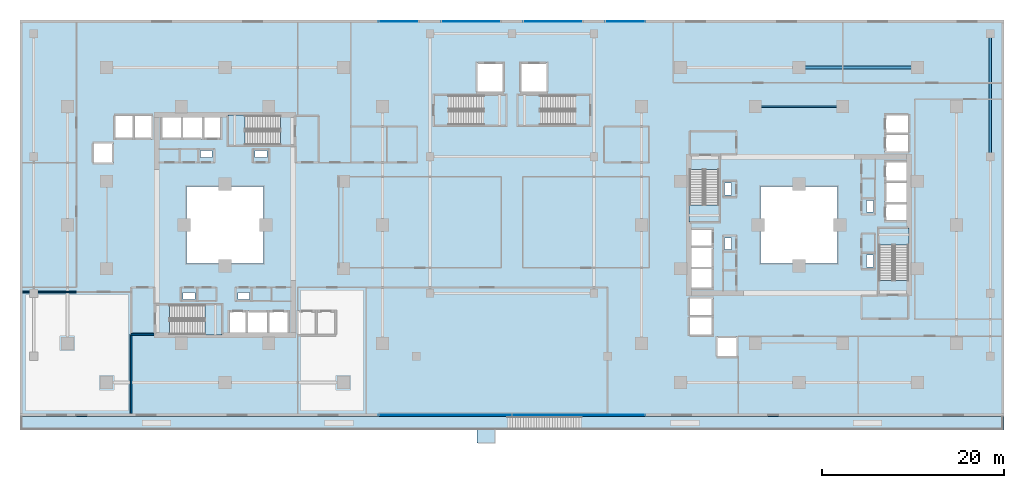
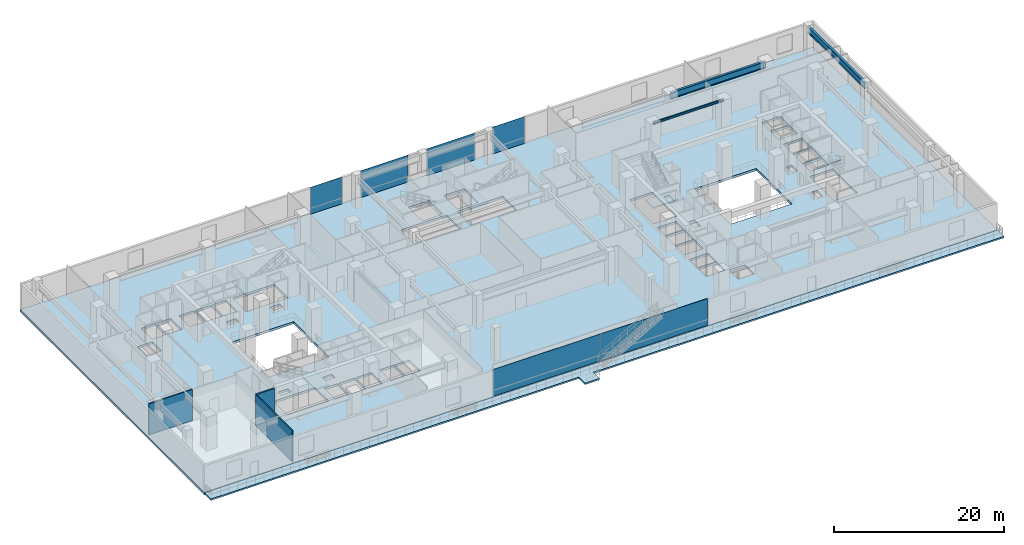
# One storey, part 10 of 22: 8 slabs, 6 plates, 3 beams, 3 walls, 11 elements without a shape of their own.
"""IFC4 building model written with IfcOpenShell, lengths in metres."""

from ifc_helpers import new_model, si_unit, direction, frame, frame_2d, origin, origin_2d, place, context, subcontext, project, spatial, polyline, rectangle, i_section, outline, extrude, material, layer, layer_set, material_profile, profile_set, type_object, element, aggregate, save


model = new_model("IFC4")

# Units and contexts
model_context = context("Model", 3, precision=1e-05, world=origin(), true_north=direction((0.0, 1.0)))
body_context = subcontext(model_context, "Body", "Model", "MODEL_VIEW")
ifc_project = project(units=[si_unit("LENGTHUNIT", "METRE"), si_unit("AREAUNIT", "SQUARE_METRE"), si_unit("VOLUMEUNIT", "CUBIC_METRE"), si_unit("PLANEANGLEUNIT", "RADIAN"), si_unit("MASSUNIT", "GRAM", prefix="KILO")], contexts=[model_context])

# Site, building, storey
site_placement = place(None, origin())
site = spatial("IfcSite", under=ifc_project, at=site_placement, CompositionType="ELEMENT")
building_placement = place(site_placement, origin())
building = spatial("IfcBuilding", under=site, at=building_placement, Name="Thornwick Lancets Civic Towers", CompositionType="ELEMENT")
storey_placement = place(building_placement, frame((0.0, 0.0, 4.800048828125)))
storey = spatial("IfcBuildingStorey", under=building, at=storey_placement, Name="L01", CompositionType="ELEMENT", Elevation=4.800048828125)

# Beams
ifc_material_1 = material(Name="Steel S355JR", Category="steel")
ifc_material_profile_1 = material_profile(ifc_material_1, i_section(OverallWidth=0.1669921875, OverallDepth=0.310302734375, WebThickness=0.0078125, FlangeThickness=0.013671875, FilletRadius=0.0087890625, at=origin_2d()), Name="UKB 305x165x54")
ifc_profile_set_1 = profile_set([ifc_material_profile_1], Name="Steel S355JR")
beam_type_1 = type_object("IfcBeamType", Name="BM_LINTEL_305_54", PredefinedType="LINTEL", material=ifc_profile_set_1)
beam_1_placement = place(storey_placement, frame((93.300048828125, 40.0, 4.32470703125), z_axis=(-1.0, 0.0, 0.0), x_axis=(0.0, -1.0, 0.0)))
element("IfcBeam", 1, at=beam_1_placement, inside=storey, type_object=beam_type_1, Name="BM-INSP-L01-B-1-3", PredefinedType="LINTEL", context=body_context, shape_type="SweptSolid", body=[
    extrude(i_section(OverallWidth=0.1669921875, OverallDepth=0.310302734375, WebThickness=0.0078125, FlangeThickness=0.013671875, FilletRadius=0.0087890625, at=origin_2d()), origin(), (0.0, 0.0, 1.0), 9.60009765625),
])
ifc_material_profile_2 = material_profile(ifc_material_1, i_section(OverallWidth=0.3076171875, OverallDepth=0.926513671875, WebThickness=0.01953125, FlangeThickness=0.031982421875, FilletRadius=0.01904296875, at=origin_2d()), Name="UKB 914x305x289")
ifc_profile_set_2 = profile_set([ifc_material_profile_2], Name="Steel S355JR")
beam_type_2 = type_object("IfcBeamType", Name="BM_POD_914_289", PredefinedType="BEAM", material=ifc_profile_set_2)
beam_2_placement = place(storey_placement, frame((101.5, 44.300048828125, 4.0166015625), z_axis=(-1.0, 0.0, 0.0), x_axis=(0.0, -1.0, 0.0)))
element("IfcBeam", 2, at=beam_2_placement, inside=storey, type_object=beam_type_2, Name="BM-SPINE-L01-B-3-4", PredefinedType="BEAM", context=body_context, shape_type="SweptSolid", body=[
    extrude(i_section(OverallWidth=0.3076171875, OverallDepth=0.926513671875, WebThickness=0.01953125, FlangeThickness=0.031982421875, FilletRadius=0.01904296875, at=origin_2d()), origin(), (0.0, 0.0, 1.0), 13.0),
])
beam_3_placement = place(storey_placement, frame((109.5, 34.580078125, 4.0166015625), z_axis=(0.0, 1.0, 0.0), x_axis=(-1.0, 0.0, 0.0)))
element("IfcBeam", 3, at=beam_3_placement, inside=storey, type_object=beam_type_2, Name="BM-PODG-L01-15-16", PredefinedType="BEAM", context=body_context, shape_type="SweptSolid", body=[
    extrude(i_section(OverallWidth=0.3076171875, OverallDepth=0.926513671875, WebThickness=0.01953125, FlangeThickness=0.031982421875, FilletRadius=0.01904296875, at=origin_2d()), origin(), (0.0, 0.0, 1.0), 13.419921875),
])

# Curtain wall, plates
ifc_material_2 = material(Name="Bronze aluminium Gothic lancet podium curtain wall", Category="aluminium")
curtain_wall_type = type_object("IfcCurtainWallType", Name="CW_SYS_01", PredefinedType="NOTDEFINED", material=ifc_material_2)
curtain_wall_1_placement = place(storey_placement, origin())
curtain_wall_1 = element("IfcCurtainWall", 4, at=curtain_wall_1_placement, inside=storey, type_object=curtain_wall_type, Name="L01 Curtain Wall CW-L01-POD-SC", PredefinedType="NOTDEFINED")
ifc_material_3 = material(Name="Low-e double glazing clear glass", Category="glass")
ifc_layer_1 = layer(ifc_material_3, 0.035888671875, Name="Low-e double glazing clear glass")
ifc_layer_set_1 = layer_set([ifc_layer_1], Name="Low-e double glazing clear glass")
plate_type = type_object("IfcPlateType", Name="CW_PNL_GLASS", PredefinedType="CURTAIN_PANEL", material=ifc_layer_set_1)
plate_1_placement = place(storey_placement, frame((49.699951171875, 6.159912109375, 0.0), z_axis=(0.0, 0.0, 1.0), x_axis=(1.0, 0.0, 0.0)))
plate_1 = element("IfcPlate", 5, at=plate_1_placement, type_object=plate_type, Name="CW-L01-POD-SC Panel 0", PredefinedType="CURTAIN_PANEL", context=body_context, shape_type="SweptSolid", body=[
    extrude(rectangle(XDim=14.595947265625, YDim=0.035888671875, at=origin_2d()), origin(), (0.0, 0.0, 1.0), 3.860107421875),
])
plate_2_placement = place(storey_placement, frame((64.300048828125, 6.159912109375, 0.0), z_axis=(0.0, 0.0, 1.0), x_axis=(1.0, 0.0, 0.0)))
plate_2 = element("IfcPlate", 6, at=plate_2_placement, type_object=plate_type, Name="CW-L01-POD-SC Panel 1", PredefinedType="CURTAIN_PANEL", context=body_context, shape_type="SweptSolid", body=[
    extrude(rectangle(XDim=14.595947265625, YDim=0.035888671875, at=origin_2d()), origin(), (0.0, 0.0, 1.0), 3.860107421875),
])
aggregate(curtain_wall_1, [plate_1, plate_2])

# Curtain wall, plate
curtain_wall_2_placement = place(storey_placement, origin())
curtain_wall_2 = element("IfcCurtainWall", 7, at=curtain_wall_2_placement, inside=storey, type_object=curtain_wall_type, Name="L01 Curtain Wall CW-L01-POD-NC-S1", PredefinedType="NOTDEFINED")
plate_3_placement = place(storey_placement, frame((69.425048828125, 49.340087890625, 0.0), z_axis=(0.0, 0.0, 1.0), x_axis=(-1.0, 0.0, 0.0)))
plate_3 = element("IfcPlate", 8, at=plate_3_placement, type_object=plate_type, Name="CW-L01-POD-NC-S1 Panel 0", PredefinedType="CURTAIN_PANEL", context=body_context, shape_type="SweptSolid", body=[
    extrude(rectangle(XDim=4.345947265625, YDim=0.035888671875, at=origin_2d()), origin(), (0.0, 0.0, 1.0), 3.860107421875),
])
aggregate(curtain_wall_2, [plate_3])

curtain_wall_3_placement = place(storey_placement, origin())
curtain_wall_3 = element("IfcCurtainWall", 9, at=curtain_wall_3_placement, inside=storey, type_object=curtain_wall_type, Name="L01 Curtain Wall CW-L01-POD-NC-S2", PredefinedType="NOTDEFINED")
plate_4_placement = place(storey_placement, frame((61.5, 49.340087890625, 0.0), z_axis=(0.0, 0.0, 1.0), x_axis=(-1.0, 0.0, 0.0)))
plate_4 = element("IfcPlate", 10, at=plate_4_placement, type_object=plate_type, Name="CW-L01-POD-NC-S2 Panel 0", PredefinedType="CURTAIN_PANEL", context=body_context, shape_type="SweptSolid", body=[
    extrude(rectangle(XDim=6.49609375, YDim=0.035888671875, at=origin_2d()), origin(), (0.0, 0.0, 1.0), 3.860107421875),
])
aggregate(curtain_wall_3, [plate_4])

curtain_wall_4_placement = place(storey_placement, origin())
curtain_wall_4 = element("IfcCurtainWall", 11, at=curtain_wall_4_placement, inside=storey, type_object=curtain_wall_type, Name="L01 Curtain Wall CW-L01-POD-NC-S3", PredefinedType="NOTDEFINED")
plate_5_placement = place(storey_placement, frame((52.5, 49.340087890625, 0.0), z_axis=(0.0, 0.0, 1.0), x_axis=(-1.0, 0.0, 0.0)))
plate_5 = element("IfcPlate", 12, at=plate_5_placement, type_object=plate_type, Name="CW-L01-POD-NC-S3 Panel 0", PredefinedType="CURTAIN_PANEL", context=body_context, shape_type="SweptSolid", body=[
    extrude(rectangle(XDim=6.49609375, YDim=0.035888671875, at=origin_2d()), origin(), (0.0, 0.0, 1.0), 3.860107421875),
])
aggregate(curtain_wall_4, [plate_5])

curtain_wall_5_placement = place(storey_placement, origin())
curtain_wall_5 = element("IfcCurtainWall", 13, at=curtain_wall_5_placement, inside=storey, type_object=curtain_wall_type, Name="L01 Curtain Wall CW-L01-POD-NC-S4", PredefinedType="NOTDEFINED")
plate_6_placement = place(storey_placement, frame((44.574951171875, 49.340087890625, 0.0), z_axis=(0.0, 0.0, 1.0), x_axis=(-1.0, 0.0, 0.0)))
plate_6 = element("IfcPlate", 14, at=plate_6_placement, type_object=plate_type, Name="CW-L01-POD-NC-S4 Panel 0", PredefinedType="CURTAIN_PANEL", context=body_context, shape_type="SweptSolid", body=[
    extrude(rectangle(XDim=4.345947265625, YDim=0.035888671875, at=origin_2d()), origin(), (0.0, 0.0, 1.0), 3.860107421875),
])
aggregate(curtain_wall_5, [plate_6])

# Stair, slab
ifc_material_4 = material(Name="Concrete C40/50", Category="concrete")
stair_type = type_object("IfcStairType", Name="STAIR_DL_4800", PredefinedType="HALF_TURN_STAIR", material=ifc_material_4)
stair_1_placement = place(storey_placement, origin())
stair_1 = element("IfcStair", 15, at=stair_1_placement, inside=storey, type_object=stair_type, Name="L01 Tower A South Exit Stair ST-A1", PredefinedType="HALF_TURN_STAIR")
ifc_layer_2 = layer(ifc_material_4, 0.25, Name="Concrete C40/50")
ifc_layer_set_2 = layer_set([ifc_layer_2], Name="Concrete C40/50")
slab_type_1 = type_object("IfcSlabType", Name="SLAB_LANDING_200", PredefinedType="LANDING", material=ifc_layer_set_2)
slab_1_placement = place(storey_placement, frame((0.0, 0.0, 2.202880859375)))
slab_1 = element("IfcSlab", 16, at=slab_1_placement, type_object=slab_type_1, Name="ST-A1 landing 1", PredefinedType="LANDING", context=body_context, shape_type="SweptSolid", body=[
    extrude(outline(polyline([(23.2900390625, 14.93994140625), (25.14990234375, 14.93994140625), (25.14990234375, 18.260009765625), (23.2900390625, 18.260009765625), (23.2900390625, 14.93994140625)])), origin(), (0.0, 0.0, 1.0), 0.199951171875),
])
aggregate(stair_1, [slab_1])

stair_2_placement = place(storey_placement, origin())
stair_2 = element("IfcStair", 17, at=stair_2_placement, inside=storey, type_object=stair_type, Name="L01 Tower A North Exit Stair ST-A2", PredefinedType="HALF_TURN_STAIR")
slab_2_placement = place(storey_placement, frame((0.0, 0.0, 2.202880859375)))
slab_2 = element("IfcSlab", 18, at=slab_2_placement, type_object=slab_type_1, Name="ST-A2 landing 1", PredefinedType="LANDING", context=body_context, shape_type="SweptSolid", body=[
    extrude(outline(polyline([(27.7099609375, 39.06005859375), (25.85009765625, 39.06005859375), (25.85009765625, 35.739990234375), (27.7099609375, 35.739990234375), (27.7099609375, 39.06005859375)])), origin(), (0.0, 0.0, 1.0), 0.199951171875),
])
aggregate(stair_2, [slab_2])

stair_3_placement = place(storey_placement, origin())
stair_3 = element("IfcStair", 19, at=stair_3_placement, inside=storey, type_object=stair_type, Name="L01 Tower B East Exit Stair ST-B1", PredefinedType="HALF_TURN_STAIR")
slab_3_placement = place(storey_placement, frame((0.0, 0.0, 2.202880859375)))
slab_3 = element("IfcSlab", 20, at=slab_3_placement, type_object=slab_type_1, Name="ST-B1 landing 1", PredefinedType="LANDING", context=body_context, shape_type="SweptSolid", body=[
    extrude(outline(polyline([(100.56005859375, 24.7900390625), (100.56005859375, 26.64990234375), (97.239990234375, 26.64990234375), (97.239990234375, 24.7900390625), (100.56005859375, 24.7900390625)])), origin(), (0.0, 0.0, 1.0), 0.199951171875),
])
aggregate(stair_3, [slab_3])

stair_4_placement = place(storey_placement, origin())
stair_4 = element("IfcStair", 21, at=stair_4_placement, inside=storey, type_object=stair_type, Name="L01 Tower B West Exit Stair ST-B2", PredefinedType="HALF_TURN_STAIR")
slab_4_placement = place(storey_placement, frame((0.0, 0.0, 2.202880859375)))
slab_4 = element("IfcSlab", 22, at=slab_4_placement, type_object=slab_type_1, Name="ST-B2 landing 1", PredefinedType="LANDING", context=body_context, shape_type="SweptSolid", body=[
    extrude(outline(polyline([(76.43994140625, 29.2099609375), (76.43994140625, 27.35009765625), (79.760009765625, 27.35009765625), (79.760009765625, 29.2099609375), (76.43994140625, 29.2099609375)])), origin(), (0.0, 0.0, 1.0), 0.199951171875),
])
aggregate(stair_4, [slab_4])

stair_5_placement = place(storey_placement, origin())
stair_5 = element("IfcStair", 23, at=stair_5_placement, inside=storey, type_object=stair_type, Name="L01 Podium Central West Exit Stair ST-P5", PredefinedType="HALF_TURN_STAIR")
slab_5_placement = place(storey_placement, frame((0.0, 0.0, 2.202880859375)))
slab_5 = element("IfcSlab", 24, at=slab_5_placement, type_object=slab_type_1, Name="ST-P5 landing 1", PredefinedType="LANDING", context=body_context, shape_type="SweptSolid", body=[
    extrude(outline(polyline([(53.889892578125, 37.93994140625), (56.35009765625, 37.93994140625), (56.35009765625, 41.260009765625), (53.889892578125, 41.260009765625), (53.889892578125, 37.93994140625)])), origin(), (0.0, 0.0, 1.0), 0.199951171875),
])
aggregate(stair_5, [slab_5])

stair_6_placement = place(storey_placement, origin())
stair_6 = element("IfcStair", 25, at=stair_6_placement, inside=storey, type_object=stair_type, Name="L01 Podium Central East Exit Stair ST-P6", PredefinedType="HALF_TURN_STAIR")
slab_6_placement = place(storey_placement, frame((0.0, 0.0, 2.202880859375)))
slab_6 = element("IfcSlab", 26, at=slab_6_placement, type_object=slab_type_1, Name="ST-P6 landing 1", PredefinedType="LANDING", context=body_context, shape_type="SweptSolid", body=[
    extrude(outline(polyline([(60.110107421875, 41.260009765625), (57.64990234375, 41.260009765625), (57.64990234375, 37.93994140625), (60.110107421875, 37.93994140625), (60.110107421875, 41.260009765625)])), origin(), (0.0, 0.0, 1.0), 0.199951171875),
])
aggregate(stair_6, [slab_6])

# Slabs
ifc_material_5 = material(Name="Post-tensioned concrete C40/50", Category="concrete")
ifc_layer_3 = layer(ifc_material_5, 0.320068359375, Name="Post-tensioned concrete C40/50")
ifc_layer_set_3 = layer_set([ifc_layer_3], Name="Post-tensioned concrete C40/50")
slab_type_2 = type_object("IfcSlabType", Name="SLAB_PT_320", PredefinedType="FLOOR", material=ifc_layer_set_3)
slab_7_placement = place(storey_placement, frame((0.0, 0.0, -0.320068359375)))
element("IfcSlab", 27, at=slab_7_placement, inside=storey, type_object=slab_type_2, Name="L01 Podium Structural Floor Slab", PredefinedType="FLOOR", context=body_context, shape_type="SweptSolid", body=[
    extrude(outline(polyline([(3.0, 6.0), (111.0, 6.0), (111.0, 49.5), (3.0, 49.5), (3.0, 6.0)]), holes=[polyline([(21.300048828125, 22.800048828125), (29.699951171875, 22.800048828125), (29.699951171875, 31.199951171875), (21.300048828125, 31.199951171875), (21.300048828125, 22.800048828125)]), polyline([(84.300048828125, 22.800048828125), (92.699951171875, 22.800048828125), (92.699951171875, 31.199951171875), (84.300048828125, 31.199951171875), (84.300048828125, 22.800048828125)]), polyline([(19.429931640625, 15.0), (25.10009765625, 15.0), (25.10009765625, 18.199951171875), (19.429931640625, 18.199951171875), (19.429931640625, 15.0)]), polyline([(31.570068359375, 39.0), (25.89990234375, 39.0), (25.89990234375, 35.800048828125), (31.570068359375, 35.800048828125), (31.570068359375, 39.0)]), polyline([(100.5, 20.929931640625), (100.5, 26.60009765625), (97.300048828125, 26.60009765625), (97.300048828125, 20.929931640625), (100.5, 20.929931640625)]), polyline([(76.5, 33.070068359375), (76.5, 27.39990234375), (79.699951171875, 27.39990234375), (79.699951171875, 33.070068359375), (76.5, 33.070068359375)]), polyline([(50.030029296875, 38.0), (56.300048828125, 38.0), (56.300048828125, 41.199951171875), (50.030029296875, 41.199951171875), (50.030029296875, 38.0)]), polyline([(63.969970703125, 41.199951171875), (57.699951171875, 41.199951171875), (57.699951171875, 38.0), (63.969970703125, 38.0), (63.969970703125, 41.199951171875)]), polyline([(26.0, 15.0), (27.800048828125, 15.0), (27.800048828125, 17.550048828125), (26.0, 17.550048828125), (26.0, 15.0)]), polyline([(97.949951171875, 27.5), (100.5, 27.5), (100.5, 29.300048828125), (97.949951171875, 29.300048828125), (97.949951171875, 27.5)]), polyline([(28.0, 15.0), (30.14990234375, 15.0), (30.14990234375, 17.550048828125), (28.0, 17.550048828125), (28.0, 15.0)]), polyline([(97.949951171875, 29.5), (100.5, 29.5), (100.5, 31.64990234375), (97.949951171875, 31.64990234375), (97.949951171875, 29.5)]), polyline([(30.35009765625, 15.0), (32.39990234375, 15.0), (32.39990234375, 17.550048828125), (30.35009765625, 17.550048828125), (30.35009765625, 15.0)]), polyline([(97.949951171875, 31.85009765625), (100.5, 31.85009765625), (100.5, 33.89990234375), (97.949951171875, 33.89990234375), (97.949951171875, 31.85009765625)]), polyline([(33.550048828125, 15.0), (35.449951171875, 15.0), (35.449951171875, 17.550048828125), (33.550048828125, 17.550048828125), (33.550048828125, 15.0)]), polyline([(97.949951171875, 35.050048828125), (100.5, 35.050048828125), (100.5, 36.949951171875), (97.949951171875, 36.949951171875), (97.949951171875, 35.050048828125)]), polyline([(35.60009765625, 15.0), (37.550048828125, 15.0), (37.550048828125, 17.550048828125), (35.60009765625, 17.550048828125), (35.60009765625, 15.0)]), polyline([(97.949951171875, 37.10009765625), (100.5, 37.10009765625), (100.5, 39.050048828125), (97.949951171875, 39.050048828125), (97.949951171875, 37.10009765625)]), polyline([(23.199951171875, 36.449951171875), (25.0, 36.449951171875), (25.0, 39.0), (23.199951171875, 39.0), (23.199951171875, 36.449951171875)]), polyline([(76.5, 24.699951171875), (79.050048828125, 24.699951171875), (79.050048828125, 26.5), (76.5, 26.5), (76.5, 24.699951171875)]), polyline([(20.85009765625, 36.449951171875), (23.0, 36.449951171875), (23.0, 39.0), (20.85009765625, 39.0), (20.85009765625, 36.449951171875)]), polyline([(76.5, 22.35009765625), (79.050048828125, 22.35009765625), (79.050048828125, 24.5), (76.5, 24.5), (76.5, 22.35009765625)]), polyline([(18.60009765625, 36.449951171875), (20.699951171875, 36.449951171875), (20.699951171875, 39.0), (18.60009765625, 39.0), (18.60009765625, 36.449951171875)]), polyline([(76.5, 20.10009765625), (79.050048828125, 20.10009765625), (79.050048828125, 22.199951171875), (76.5, 22.199951171875), (76.5, 20.10009765625)]), polyline([(15.550048828125, 36.449951171875), (17.449951171875, 36.449951171875), (17.449951171875, 39.0), (15.550048828125, 39.0), (15.550048828125, 36.449951171875)]), polyline([(76.5, 17.050048828125), (79.050048828125, 17.050048828125), (79.050048828125, 18.949951171875), (76.5, 18.949951171875), (76.5, 17.050048828125)]), polyline([(13.449951171875, 36.449951171875), (15.39990234375, 36.449951171875), (15.39990234375, 39.0), (13.449951171875, 39.0), (13.449951171875, 36.449951171875)]), polyline([(76.5, 14.949951171875), (79.050048828125, 14.949951171875), (79.050048828125, 16.89990234375), (76.5, 16.89990234375), (76.5, 14.949951171875)]), polyline([(11.10009765625, 33.85009765625), (13.199951171875, 33.85009765625), (13.199951171875, 35.949951171875), (11.10009765625, 35.949951171875), (11.10009765625, 33.85009765625)]), polyline([(79.550048828125, 12.60009765625), (81.64990234375, 12.60009765625), (81.64990234375, 14.699951171875), (79.550048828125, 14.699951171875), (79.550048828125, 12.60009765625)]), polyline([(53.199951171875, 41.60009765625), (56.0, 41.60009765625), (56.0, 44.800048828125), (53.199951171875, 44.800048828125), (53.199951171875, 41.60009765625)]), polyline([(58.0, 41.60009765625), (60.800048828125, 41.60009765625), (60.800048828125, 44.800048828125), (58.0, 44.800048828125), (58.0, 41.60009765625)]), polyline([(26.89990234375, 18.85009765625), (28.199951171875, 18.85009765625), (28.199951171875, 19.580078125), (26.89990234375, 19.580078125), (26.89990234375, 18.85009765625)]), polyline([(20.89990234375, 18.85009765625), (22.199951171875, 18.85009765625), (22.199951171875, 19.580078125), (20.89990234375, 19.580078125), (20.89990234375, 18.85009765625)]), polyline([(22.800048828125, 34.419921875), (24.10009765625, 34.419921875), (24.10009765625, 35.14990234375), (22.800048828125, 35.14990234375), (22.800048828125, 34.419921875)]), polyline([(28.800048828125, 34.419921875), (30.10009765625, 34.419921875), (30.10009765625, 35.14990234375), (28.800048828125, 35.14990234375), (28.800048828125, 34.419921875)]), polyline([(95.919921875, 28.39990234375), (96.64990234375, 28.39990234375), (96.64990234375, 29.699951171875), (95.919921875, 29.699951171875), (95.919921875, 28.39990234375)]), polyline([(95.919921875, 22.39990234375), (96.64990234375, 22.39990234375), (96.64990234375, 23.699951171875), (95.919921875, 23.699951171875), (95.919921875, 22.39990234375)]), polyline([(80.35009765625, 24.300048828125), (81.080078125, 24.300048828125), (81.080078125, 25.60009765625), (80.35009765625, 25.60009765625), (80.35009765625, 24.300048828125)]), polyline([(80.35009765625, 30.300048828125), (81.080078125, 30.300048828125), (81.080078125, 31.60009765625), (80.35009765625, 31.60009765625), (80.35009765625, 30.300048828125)])]), origin(), (0.0, 0.0, 1.0), 0.320068359375),
])
ifc_layer_4 = layer(ifc_material_4, 0.219970703125, Name="Concrete C40/50")
ifc_layer_set_4 = layer_set([ifc_layer_4], Name="Concrete C40/50")
slab_type_3 = type_object("IfcSlabType", Name="SLAB_TERRACE_220", PredefinedType="FLOOR", material=ifc_layer_set_4)
slab_8_placement = place(storey_placement, frame((0.0, 0.0, -0.219970703125)))
element("IfcSlab", 28, at=slab_8_placement, inside=storey, type_object=slab_type_3, Name="L01 Cascading Garden Terrace Slab", PredefinedType="FLOOR", context=body_context, shape_type="SweptSolid", body=[
    extrude(outline(polyline([(3.0, 4.5), (3.0, 6.0), (111.0, 6.0), (111.0, 4.5), (55.1201171875, 4.5), (55.1201171875, 3.050048828125), (53.139892578125, 3.050048828125), (53.139892578125, 4.5), (3.0, 4.5)])), origin(), (0.0, 0.0, 1.0), 0.219970703125),
])

# Walls
ifc_material_6 = material(Name="Concrete blockwork C40/50", Category="masonry")
ifc_layer_5 = layer(ifc_material_6, 0.199951171875, Name="Concrete blockwork C40/50")
ifc_layer_set_5 = layer_set([ifc_layer_5], Name="Concrete blockwork C40/50")
wall_type_1 = type_object("IfcWallType", Name="WALL_COMP_200", PredefinedType="STANDARD", material=ifc_layer_set_5)
wall_1_placement = place(storey_placement, frame((15.199951171875, 15.0, 0.0), z_axis=(0.0, 0.0, 1.0), x_axis=(1.0, 0.0, 0.0)))
element("IfcWall", 29, at=wall_1_placement, inside=storey, type_object=wall_type_1, Name="L01 Partition L01-A-FFLOB1 E1", PredefinedType="STANDARD", context=body_context, shape_type="SweptSolid", body=[
    extrude(rectangle(XDim=2.5, YDim=0.199951171875, at=frame_2d((1.25, 0.0))), origin(), (0.0, 0.0, 1.0), 4.4599609375),
])
ifc_material_7 = material(Name="Twin-stud acoustic gypsum board")
ifc_layer_6 = layer(ifc_material_7, 0.14990234375, Name="Twin-stud acoustic gypsum board")
ifc_layer_set_6 = layer_set([ifc_layer_6], Name="Twin-stud acoustic gypsum board")
wall_type_2 = type_object("IfcWallType", Name="WALL_PART_150", PredefinedType="PARTITIONING", material=ifc_layer_set_6)
wall_2_placement = place(storey_placement, frame((3.300048828125, 19.64990234375, 0.0), z_axis=(0.0, 0.0, 1.0), x_axis=(1.0, 0.0, 0.0)))
element("IfcWall", 30, at=wall_2_placement, inside=storey, type_object=wall_type_2, Name="L01 Partition L01-COMM1 E3", PredefinedType="PARTITIONING", context=body_context, shape_type="SweptSolid", body=[
    extrude(rectangle(XDim=5.89990234375, YDim=0.14990234375, at=frame_2d((2.949951171875, 0.0))), origin(), (0.0, 0.0, 1.0), 4.4599609375),
])
wall_3_placement = place(storey_placement, frame((15.199951171875, 15.0, 0.0), z_axis=(0.0, 0.0, 1.0), x_axis=(0.0, -1.0, 0.0)))
element("IfcWall", 31, at=wall_3_placement, inside=storey, type_object=wall_type_2, Name="L01 Partition L01-COMM1 E6", PredefinedType="PARTITIONING", context=body_context, shape_type="SweptSolid", body=[
    extrude(rectangle(XDim=8.679931640625, YDim=0.14990234375, at=frame_2d((4.33984375, 0.0))), origin(), (0.0, 0.0, 1.0), 4.4599609375),
])

save(model, "model.ifc")
